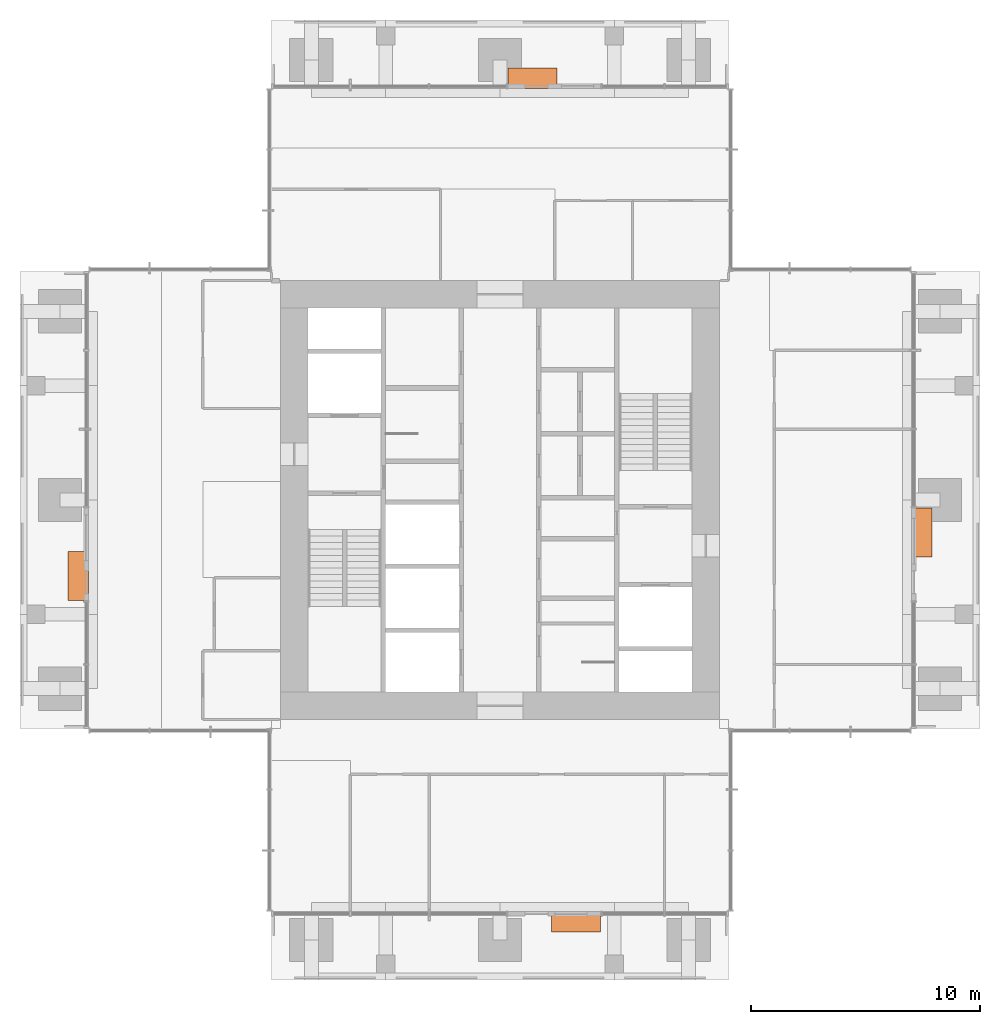
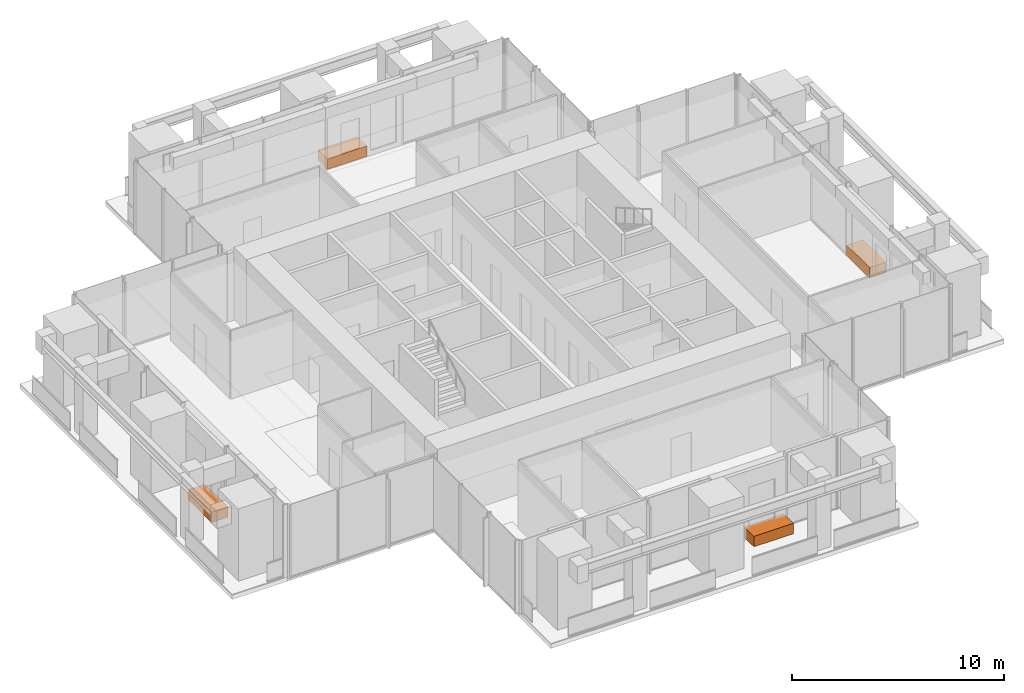
# One storey, part 12 of 12: 4 proxies.
"""IFC4 building model written with IfcOpenShell, lengths in metres."""

from ifc_helpers import new_model, si_unit, direction, frame, origin, origin_2d, place, context, subcontext, project, spatial, rectangle, extrude, element, save


model = new_model("IFC4")

# Units and contexts
model_context = context("Model", 3, precision=1e-05, world=origin(), true_north=direction((0.0, 1.0)))
body_context = subcontext(model_context, "Body", "Model", "MODEL_VIEW")
ifc_project = project(units=[si_unit("LENGTHUNIT", "METRE"), si_unit("AREAUNIT", "SQUARE_METRE"), si_unit("VOLUMEUNIT", "CUBIC_METRE"), si_unit("PLANEANGLEUNIT", "RADIAN"), si_unit("MASSUNIT", "GRAM", prefix="KILO")], contexts=[model_context])

# Site, building, storey
site_placement = place(None, origin())
site = spatial("IfcSite", under=ifc_project, at=site_placement, CompositionType="ELEMENT")
building_placement = place(site_placement, origin())
building = spatial("IfcBuilding", under=site, at=building_placement, Name="Svetlomir Tower", CompositionType="ELEMENT")
storey_placement = place(building_placement, frame((0.0, 0.0, 244.0)))
storey = spatial("IfcBuildingStorey", under=building, at=storey_placement, Name="L58", CompositionType="ELEMENT", Elevation=244.0)

# Proxies
proxy_1_placement = place(storey_placement, frame((24.324951171875, 2.550048828125, 0.0400390625), z_axis=(0.0, 0.0, 1.0), x_axis=(1.0, 0.0, 0.0)))
element("IfcBuildingElementProxy", 1, at=proxy_1_placement, inside=storey, Name="Tree planter S L58", ObjectType="PLANTER", PredefinedType="USERDEFINED", context=body_context, shape_type="SweptSolid", body=[
    extrude(rectangle(XDim=2.14990234375, YDim=0.89990234375, at=origin_2d()), origin(), (0.0, 0.0, 1.0), 0.60009765625),
])
proxy_2_placement = place(storey_placement, frame((39.449951171875, 19.574951171875, 0.0400390625), z_axis=(0.0, 0.0, 1.0), x_axis=(1.0, 0.0, 0.0)))
element("IfcBuildingElementProxy", 2, at=proxy_2_placement, inside=storey, Name="Tree planter E L58", ObjectType="PLANTER", PredefinedType="USERDEFINED", context=body_context, shape_type="SweptSolid", body=[
    extrude(rectangle(XDim=0.89990234375, YDim=2.14990234375, at=origin_2d()), origin(), (0.0, 0.0, 1.0), 0.60009765625),
])
proxy_3_placement = place(storey_placement, frame((22.425048828125, 39.449951171875, 0.0400390625), z_axis=(0.0, 0.0, 1.0), x_axis=(1.0, 0.0, 0.0)))
element("IfcBuildingElementProxy", 3, at=proxy_3_placement, inside=storey, Name="Tree planter N L58", ObjectType="PLANTER", PredefinedType="USERDEFINED", context=body_context, shape_type="SweptSolid", body=[
    extrude(rectangle(XDim=2.14990234375, YDim=0.89990234375, at=origin_2d()), origin(), (0.0, 0.0, 1.0), 0.60009765625),
])
proxy_4_placement = place(storey_placement, frame((2.550048828125, 17.675048828125, 0.0400390625), z_axis=(0.0, 0.0, 1.0), x_axis=(1.0, 0.0, 0.0)))
element("IfcBuildingElementProxy", 4, at=proxy_4_placement, inside=storey, Name="Tree planter W L58", ObjectType="PLANTER", PredefinedType="USERDEFINED", context=body_context, shape_type="SweptSolid", body=[
    extrude(rectangle(XDim=0.89990234375, YDim=2.14990234375, at=origin_2d()), origin(), (0.0, 0.0, 1.0), 0.60009765625),
])

save(model, "model.ifc")
